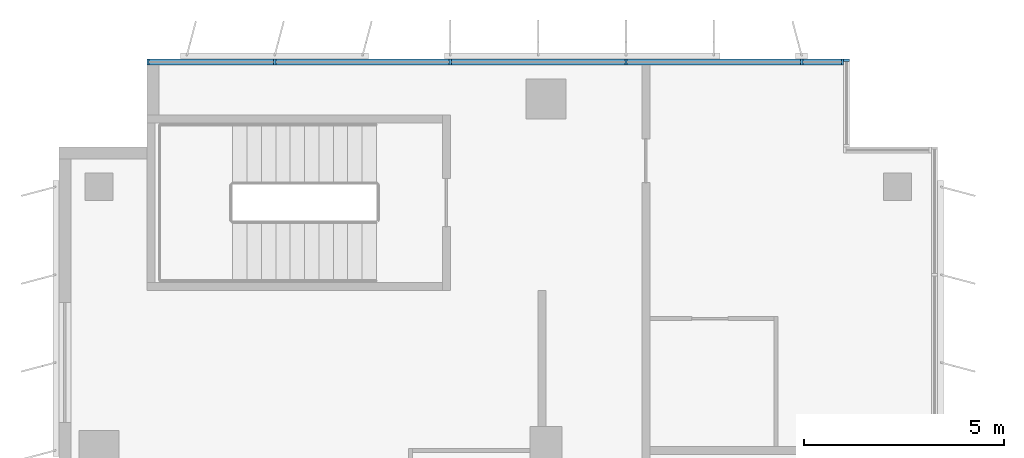
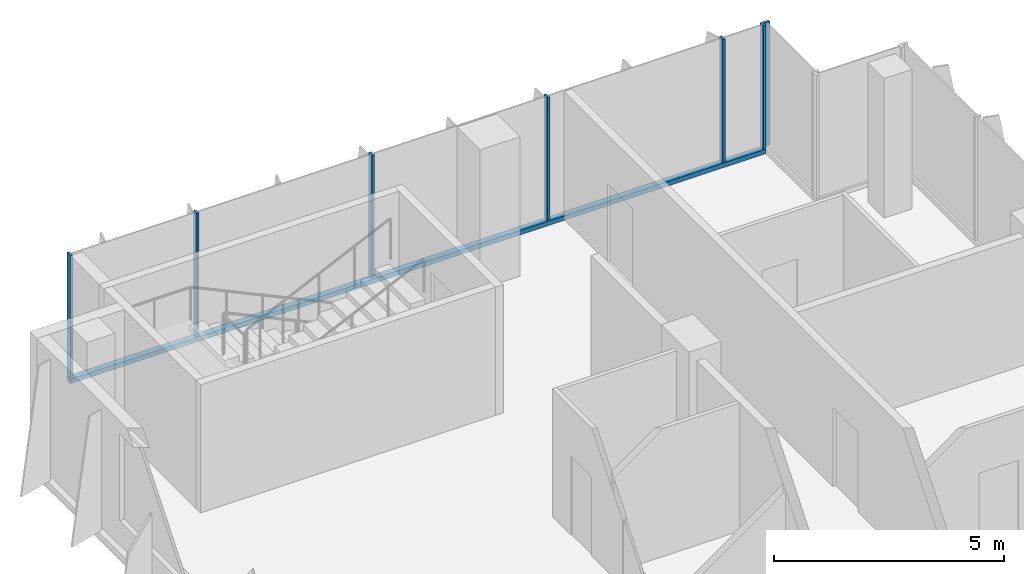
# One storey, part 9 of 21: 8 members, 2 elements without a shape of their own.
"""IFC4 building model written with IfcOpenShell, lengths in metres."""

from ifc_helpers import new_model, si_unit, direction, frame, origin, origin_2d, place, context, subcontext, project, spatial, rectangle, extrude, source, transform, mapped, material, material_profile, profile_set, type_object, element, aggregate, save


model = new_model("IFC4")

# Units and contexts
model_context = context("Model", 3, precision=1e-05, world=origin(), true_north=direction((0.0, 1.0)))
body_context = subcontext(model_context, "Body", "Model", "MODEL_VIEW")
ifc_project = project(units=[si_unit("LENGTHUNIT", "METRE"), si_unit("AREAUNIT", "SQUARE_METRE"), si_unit("VOLUMEUNIT", "CUBIC_METRE"), si_unit("PLANEANGLEUNIT", "RADIAN"), si_unit("MASSUNIT", "GRAM", prefix="KILO")], contexts=[model_context])

# Site, building, storey
site_placement = place(None, origin())
site = spatial("IfcSite", under=ifc_project, at=site_placement, CompositionType="ELEMENT")
building_placement = place(site_placement, origin())
building = spatial("IfcBuilding", under=site, at=building_placement, Name="Kemantara Hotel Tower", CompositionType="ELEMENT")
storey_placement = place(building_placement, frame((0.0, 0.0, 171.60009765625)))
storey = spatial("IfcBuildingStorey", under=building, at=storey_placement, Name="L42", CompositionType="ELEMENT", Elevation=171.60009765625)

# Curtain wall, members
ifc_material_1 = material(Name="Low-E tinted double insulated glass 36 mm", Category="glass")
curtain_wall_type = type_object("IfcCurtainWallType", Name="TOWER CURTAIN WALL, FRONT FACES", PredefinedType="USERDEFINED", material=ifc_material_1)
curtain_wall_1_placement = place(storey_placement, origin())
curtain_wall_1 = element("IfcCurtainWall", 1, at=curtain_wall_1_placement, inside=storey, type_object=curtain_wall_type, Name="CW4 L42 T3-R02-1", ObjectType="TOWER CURTAIN WALL, FRONT FACES", PredefinedType="USERDEFINED")
ifc_material_2 = material(Name="Aluminium 6063-T6 bronze anodised", Category="aluminium")
ifc_material_profile_1 = material_profile(ifc_material_2, rectangle(XDim=0.14990234375, YDim=0.1201171875, at=origin_2d()), Name="TOWER CURTAIN WALL, FRONT FACES TRANSOM")
ifc_profile_set_1 = profile_set([ifc_material_profile_1], Name="Aluminium 6063-T6 bronze anodised")
member_type_1 = type_object("IfcMemberType", Name="TOWER CURTAIN WALL, FRONT FACES TRANSOM", PredefinedType="USERDEFINED", material=ifc_profile_set_1)
member_1_placement = place(storey_placement, frame((19.64990234375, 63.52490234375, 0.059814453125), z_axis=(-1.0, 0.0, 0.0), x_axis=(0.0, -1.0, 0.0)))
member_1 = element("IfcMember", 2, at=member_1_placement, type_object=member_type_1, Name="CW4 sill transom T3-R02-1", ObjectType="TRANSOM", PredefinedType="USERDEFINED", context=body_context, shape_type="SweptSolid", body=[
    extrude(rectangle(XDim=0.14990234375, YDim=0.1201171875, at=origin_2d()), origin(), (0.0, 0.0, 1.0), 17.449951171875),
])
ifc_material_profile_2 = material_profile(ifc_material_2, rectangle(XDim=0.14990234375, YDim=0.06005859375, at=origin_2d()), Name="TOWER CURTAIN WALL, FRONT FACES MULLION")
ifc_profile_set_2 = profile_set([ifc_material_profile_2], Name="Aluminium 6063-T6 bronze anodised")
member_type_2 = type_object("IfcMemberType", Name="TOWER CURTAIN WALL, FRONT FACES MULLION", PredefinedType="MULLION", material=ifc_profile_set_2)
shared_shape = source(origin(), body_context, "Body", "SweptSolid", [
    extrude(rectangle(XDim=0.14990234375, YDim=0.06005859375, at=origin_2d()), origin(), (0.0, 0.0, 1.0), 3.280029296875),
])
member_2_placement = place(storey_placement, frame((19.6201171875, 63.52490234375, 0.119873046875), z_axis=(0.0, 0.0, 1.0), x_axis=(0.0, -1.0, 0.0)))
member_2 = element("IfcMember", 3, at=member_2_placement, type_object=member_type_2, Name="CW4 mullion T3-R02-1.1", PredefinedType="MULLION", context=body_context, shape_type="MappedRepresentation", body=[
    mapped(shared_shape, transform((0.0, 0.0, 0.0))),
])
member_3_placement = place(storey_placement, frame((18.60009765625, 63.52490234375, 0.119873046875), z_axis=(0.0, 0.0, 1.0), x_axis=(0.0, -1.0, 0.0)))
member_3 = element("IfcMember", 4, at=member_3_placement, type_object=member_type_2, Name="CW4 mullion T3-R02-1.2", PredefinedType="MULLION", context=body_context, shape_type="MappedRepresentation", body=[
    mapped(shared_shape, transform((0.0, 0.0, 0.0))),
])
member_4_placement = place(storey_placement, frame((14.199951171875, 63.52490234375, 0.119873046875), z_axis=(0.0, 0.0, 1.0), x_axis=(0.0, -1.0, 0.0)))
member_4 = element("IfcMember", 5, at=member_4_placement, type_object=member_type_2, Name="CW4 mullion T3-R02-1.3", PredefinedType="MULLION", context=body_context, shape_type="MappedRepresentation", body=[
    mapped(shared_shape, transform((0.0, 0.0, 0.0))),
])
member_5_placement = place(storey_placement, frame((9.800048828125, 63.52490234375, 0.119873046875), z_axis=(0.0, 0.0, 1.0), x_axis=(0.0, -1.0, 0.0)))
member_5 = element("IfcMember", 6, at=member_5_placement, type_object=member_type_2, Name="CW4 mullion T3-R02-1.4", PredefinedType="MULLION", context=body_context, shape_type="MappedRepresentation", body=[
    mapped(shared_shape, transform((0.0, 0.0, 0.0))),
])
member_6_placement = place(storey_placement, frame((5.39990234375, 63.52490234375, 0.119873046875), z_axis=(0.0, 0.0, 1.0), x_axis=(0.0, -1.0, 0.0)))
member_6 = element("IfcMember", 7, at=member_6_placement, type_object=member_type_2, Name="CW4 mullion T3-R02-1.5", PredefinedType="MULLION", context=body_context, shape_type="MappedRepresentation", body=[
    mapped(shared_shape, transform((0.0, 0.0, 0.0))),
])
member_7_placement = place(storey_placement, frame((2.22998046875, 63.52490234375, 0.119873046875), z_axis=(0.0, 0.0, 1.0), x_axis=(0.0, -1.0, 0.0)))
member_7 = element("IfcMember", 8, at=member_7_placement, type_object=member_type_2, Name="CW4 mullion T3-R02-1.6", PredefinedType="MULLION", context=body_context, shape_type="MappedRepresentation", body=[
    mapped(shared_shape, transform((0.0, 0.0, 0.0))),
])
aggregate(curtain_wall_1, [member_1, member_2, member_3, member_4, member_5, member_6, member_7])

# Curtain wall, member
curtain_wall_2_placement = place(storey_placement, origin())
curtain_wall_2 = element("IfcCurtainWall", 9, at=curtain_wall_2_placement, inside=storey, type_object=curtain_wall_type, Name="CW4 L42 T3-R01-1", ObjectType="TOWER CURTAIN WALL, FRONT FACES", PredefinedType="USERDEFINED")
member_8_placement = place(storey_placement, frame((19.72509765625, 63.570068359375, 0.119873046875), z_axis=(0.0, 0.0, 1.0), x_axis=(-1.0, 0.0, 0.0)))
member_8 = element("IfcMember", 10, at=member_8_placement, type_object=member_type_2, Name="CW4 mullion T3-R01-1.2", PredefinedType="MULLION", context=body_context, shape_type="MappedRepresentation", body=[
    mapped(shared_shape, transform((0.0, 0.0, 0.0))),
])
aggregate(curtain_wall_2, [member_8])

save(model, "model.ifc")
